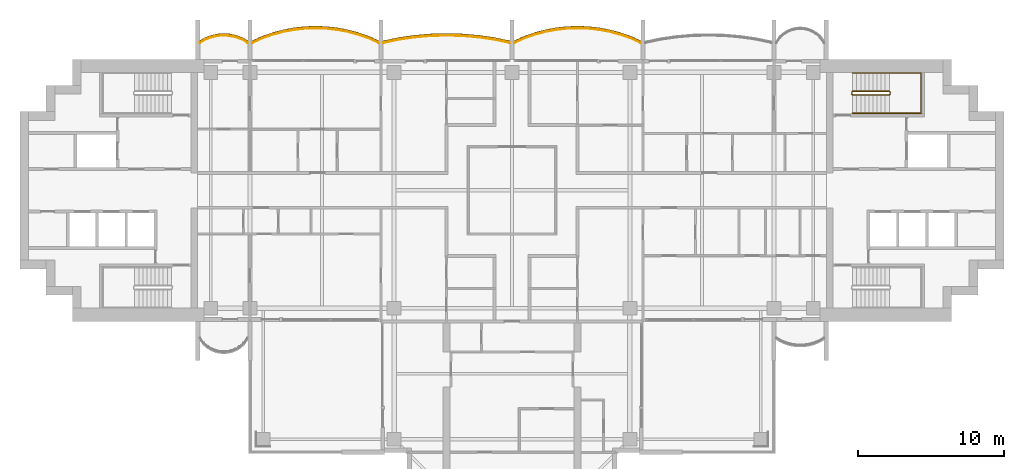
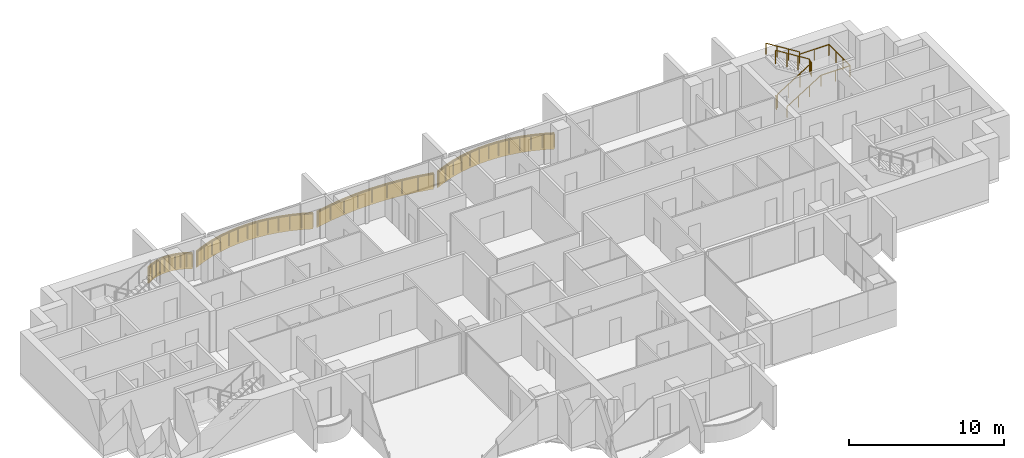
# One storey, part 16 of 17: 6 railings, 4 coverings.
"""IFC4 building model written with IfcOpenShell, lengths in metres."""

from ifc_helpers import new_model, si_unit, direction, frame, origin, origin_2d, place, context, subcontext, project, spatial, polyline, rectangle, outline, extrude, material, layer, layer_set, type_object, element, save


model = new_model("IFC4")

# Units and contexts
model_context = context("Model", 3, precision=1e-05, world=origin(), true_north=direction((0.0, 1.0)))
body_context = subcontext(model_context, "Body", "Model", "MODEL_VIEW")
ifc_project = project(units=[si_unit("LENGTHUNIT", "METRE"), si_unit("AREAUNIT", "SQUARE_METRE"), si_unit("VOLUMEUNIT", "CUBIC_METRE"), si_unit("PLANEANGLEUNIT", "RADIAN"), si_unit("MASSUNIT", "GRAM", prefix="KILO")], contexts=[model_context])

# Site, building, storey
site_placement = place(None, origin())
site = spatial("IfcSite", under=ifc_project, at=site_placement, CompositionType="ELEMENT")
building_placement = place(site_placement, origin())
building = spatial("IfcBuilding", under=site, at=building_placement, Name="Perihelion Cross Residences", CompositionType="ELEMENT")
storey_placement = place(building_placement, frame((0.0, 0.0, 184.10009765625)))
storey = spatial("IfcBuildingStorey", under=building, at=storey_placement, Name="L45", CompositionType="ELEMENT", Elevation=184.10009765625)

# Coverings
ifc_material_1 = material(Name="Bronze anodised aluminium", Category="aluminium")
ifc_layer = layer(ifc_material_1, 0.070068359375)
ifc_layer_set = layer_set([ifc_layer], Name="Balcony fascia 1300")
covering_type = type_object("IfcCoveringType", Name="Balcony fascia 1300", PredefinedType="CLADDING", material=ifc_layer_set)
covering_1_placement = place(storey_placement, frame((0.0, 0.0, -0.2001953125)))
element("IfcCovering", 1, at=covering_1_placement, inside=storey, type_object=covering_type, Name="Fascia BF1 L45 north side east bay 1", PredefinedType="CLADDING", context=body_context, shape_type="SweptSolid", body=[
    extrude(outline(polyline([(8.150634765625, 10.582275390625), (7.42041015625, 10.83544921875), (6.690185546875, 11.028076171875), (5.960205078125, 11.1630859375), (5.22998046875, 11.243408203125), (4.5, 11.27001953125), (3.77001953125, 11.243408203125), (3.039794921875, 11.1630859375), (2.309814453125, 11.028076171875), (1.57958984375, 10.83544921875), (0.849365234375, 10.582275390625), (0.14990234375, 10.2763671875), (0.14990234375, 10.199951171875), (0.875, 10.51708984375), (1.60009765625, 10.7685546875), (2.324951171875, 10.959716796875), (3.050048828125, 11.093994140625), (3.77490234375, 11.173583984375), (4.5, 11.199951171875), (5.22509765625, 11.173583984375), (5.949951171875, 11.093994140625), (6.675048828125, 10.959716796875), (7.39990234375, 10.7685546875), (8.125, 10.51708984375), (8.85009765625, 10.199951171875), (8.85009765625, 10.2763671875), (8.150634765625, 10.582275390625)])), origin(), (0.0, 0.0, 1.0), 1.300048828125),
])
covering_2_placement = place(storey_placement, frame((0.0, 0.0, -0.2001953125)))
element("IfcCovering", 2, at=covering_2_placement, inside=storey, type_object=covering_type, Name="Fascia BF1 L45 north side east bay 2", PredefinedType="CLADDING", context=body_context, shape_type="SweptSolid", body=[
    extrude(outline(polyline([(-1.2255859375, 10.4892578125), (-2.317138671875, 10.645751953125), (-3.408447265625, 10.739013671875), (-4.5, 10.77001953125), (-5.591552734375, 10.739013671875), (-6.682861328125, 10.645751953125), (-7.7744140625, 10.4892578125), (-8.85009765625, 10.271484375), (-8.85009765625, 10.199951171875), (-7.762451171875, 10.42041015625), (-6.675048828125, 10.576171875), (-5.58740234375, 10.669189453125), (-4.5, 10.699951171875), (-3.41259765625, 10.669189453125), (-2.324951171875, 10.576171875), (-1.237548828125, 10.42041015625), (-0.14990234375, 10.199951171875), (-0.14990234375, 10.271484375), (-1.2255859375, 10.4892578125)])), origin(), (0.0, 0.0, 1.0), 1.300048828125),
])
covering_3_placement = place(storey_placement, frame((0.0, 0.0, -0.2001953125)))
element("IfcCovering", 3, at=covering_3_placement, inside=storey, type_object=covering_type, Name="Fascia BF1 L45 west side north bay 1", PredefinedType="CLADDING", context=body_context, shape_type="SweptSolid", body=[
    extrude(outline(polyline([(-9.849365234375, 10.582275390625), (-10.57958984375, 10.83544921875), (-11.309814453125, 11.028076171875), (-12.039794921875, 11.1630859375), (-12.77001953125, 11.243408203125), (-13.5, 11.27001953125), (-14.22998046875, 11.243408203125), (-14.960205078125, 11.1630859375), (-15.690185546875, 11.028076171875), (-16.42041015625, 10.83544921875), (-17.150634765625, 10.582275390625), (-17.85009765625, 10.2763671875), (-17.85009765625, 10.199951171875), (-17.125, 10.51708984375), (-16.39990234375, 10.7685546875), (-15.675048828125, 10.959716796875), (-14.949951171875, 11.093994140625), (-14.22509765625, 11.173583984375), (-13.5, 11.199951171875), (-12.77490234375, 11.173583984375), (-12.050048828125, 11.093994140625), (-11.324951171875, 10.959716796875), (-10.60009765625, 10.7685546875), (-9.875, 10.51708984375), (-9.14990234375, 10.199951171875), (-9.14990234375, 10.2763671875), (-9.849365234375, 10.582275390625)])), origin(), (0.0, 0.0, 1.0), 1.300048828125),
])
covering_4_placement = place(storey_placement, frame((0.0, 0.0, -0.2001953125)))
element("IfcCovering", 4, at=covering_4_placement, inside=storey, type_object=covering_type, Name="Fascia BF1 L45 west side north bay 2", PredefinedType="CLADDING", context=body_context, shape_type="SweptSolid", body=[
    extrude(outline(polyline([(-18.486328125, 10.4716796875), (-18.861572265625, 10.62158203125), (-19.237060546875, 10.717529296875), (-19.6123046875, 10.76416015625), (-19.987548828125, 10.76416015625), (-20.363037109375, 10.717529296875), (-20.73828125, 10.62158203125), (-21.11376953125, 10.4716796875), (-21.449951171875, 10.280517578125), (-21.449951171875, 10.199951171875), (-21.083251953125, 10.40869140625), (-20.716552734375, 10.55517578125), (-20.35009765625, 10.648681640625), (-19.9833984375, 10.6943359375), (-19.61669921875, 10.6943359375), (-19.25, 10.648681640625), (-18.88330078125, 10.55517578125), (-18.5166015625, 10.40869140625), (-18.14990234375, 10.199951171875), (-18.14990234375, 10.280517578125), (-18.486328125, 10.4716796875)])), origin(), (0.0, 0.0, 1.0), 1.300048828125),
])

# Railings
ifc_material_2 = material(Name="Bronze anodised aluminium", Category="aluminium")
railing_type_1 = type_object("IfcRailingType", Name="Balcony guard 1100", PredefinedType="GUARDRAIL", material=ifc_material_2)
railing_1_placement = place(storey_placement, frame((8.824951171875, 10.139892578125, 0.0)))
element("IfcRailing", 5, at=railing_1_placement, inside=storey, type_object=railing_type_1, Name="Guard GU1 L45 north side east bay 1 balcony", PredefinedType="GUARDRAIL", context=body_context, shape_type="SweptSolid", body=[
    extrude(rectangle(XDim=0.048095703125, YDim=0.048095703125, at=origin_2d()), frame((0.0, 0.0, 1.076171875), z_axis=(-0.910866309087, 0.412701547089, 0.0), x_axis=(-0.412701547089, -0.910866309087, 0.0)), (0.0, 0.0, 1.0), 0.7685546875),
    extrude(rectangle(XDim=0.048095703125, YDim=0.048095703125, at=origin_2d()), frame((-0.699951171875, 0.317138671875, 1.076171875), z_axis=(-0.944796812452, 0.327656807012, 0.0), x_axis=(-0.327656807012, -0.944796812452, 0.0)), (0.0, 0.0, 1.0), 0.767578125),
    extrude(rectangle(XDim=0.048095703125, YDim=0.048095703125, at=origin_2d()), frame((-1.425048828125, 0.568603515625, 1.076171875), z_axis=(-0.966939404945, 0.255006249266, 0.0), x_axis=(-0.255006249266, -0.966939404945, 0.0)), (0.0, 0.0, 1.0), 0.749755859375),
    extrude(rectangle(XDim=0.048095703125, YDim=0.048095703125, at=origin_2d()), frame((-2.14990234375, 0.759765625, 1.076171875), z_axis=(-0.983282004984, 0.182089260182, 0.0), x_axis=(-0.182089260182, -0.983282004984, 0.0)), (0.0, 0.0, 1.0), 0.7373046875),
    extrude(rectangle(XDim=0.048095703125, YDim=0.048095703125, at=origin_2d()), frame((-2.875, 0.89404296875, 1.076171875), z_axis=(-0.994025805622, 0.109145305703, 0.0), x_axis=(-0.109145305703, -0.994025805622, 0.0)), (0.0, 0.0, 1.0), 0.729248046875),
    extrude(rectangle(XDim=0.048095703125, YDim=0.048095703125, at=origin_2d()), frame((-3.599853515625, 0.9736328125, 1.076171875), z_axis=(-0.999339497946, 0.036339618107, 0.0), x_axis=(-0.036339618107, -0.999339497946, 0.0)), (0.0, 0.0, 1.0), 0.7255859375),
    extrude(rectangle(XDim=0.048095703125, YDim=0.048095703125, at=origin_2d()), frame((-4.324951171875, 1.0, 1.076171875), z_axis=(-0.999339497946, -0.036339618107, 0.0), x_axis=(0.036339618107, -0.999339497946, 0.0)), (0.0, 0.0, 1.0), 0.7255859375),
    extrude(rectangle(XDim=0.048095703125, YDim=0.048095703125, at=origin_2d()), frame((-5.050048828125, 0.9736328125, 1.076171875), z_axis=(-0.994025805622, -0.109145305703, 0.0), x_axis=(0.109145305703, -0.994025805622, 0.0)), (0.0, 0.0, 1.0), 0.729248046875),
    extrude(rectangle(XDim=0.048095703125, YDim=0.048095703125, at=origin_2d()), frame((-5.77490234375, 0.89404296875, 1.076171875), z_axis=(-0.983282004984, -0.182089260182, 0.0), x_axis=(0.182089260182, -0.983282004984, 0.0)), (0.0, 0.0, 1.0), 0.7373046875),
    extrude(rectangle(XDim=0.048095703125, YDim=0.048095703125, at=origin_2d()), frame((-6.5, 0.759765625, 1.076171875), z_axis=(-0.966939404945, -0.255006249266, 0.0), x_axis=(0.255006249266, -0.966939404945, 0.0)), (0.0, 0.0, 1.0), 0.749755859375),
    extrude(rectangle(XDim=0.048095703125, YDim=0.048095703125, at=origin_2d()), frame((-7.224853515625, 0.568603515625, 1.076171875), z_axis=(-0.944796812452, -0.327656807012, 0.0), x_axis=(0.327656807012, -0.944796812452, 0.0)), (0.0, 0.0, 1.0), 0.767578125),
    extrude(rectangle(XDim=0.048095703125, YDim=0.048095703125, at=origin_2d()), frame((-7.949951171875, 0.317138671875, 1.076171875), z_axis=(-0.910866309087, -0.412701547089, 0.0), x_axis=(0.412701547089, -0.910866309087, 0.0)), (0.0, 0.0, 1.0), 0.7685546875),
    extrude(rectangle(XDim=0.0419921875, YDim=0.0419921875, at=origin_2d()), origin(), (0.0, 0.0, 1.0), 1.052001953125),
    extrude(rectangle(XDim=0.0419921875, YDim=0.0419921875, at=origin_2d()), frame((-0.699951171875, 0.317138671875, 0.0)), (0.0, 0.0, 1.0), 1.052001953125),
    extrude(rectangle(XDim=0.0419921875, YDim=0.0419921875, at=origin_2d()), frame((-1.425048828125, 0.568603515625, 0.0)), (0.0, 0.0, 1.0), 1.052001953125),
    extrude(rectangle(XDim=0.0419921875, YDim=0.0419921875, at=origin_2d()), frame((-2.14990234375, 0.759765625, 0.0)), (0.0, 0.0, 1.0), 1.052001953125),
    extrude(rectangle(XDim=0.0419921875, YDim=0.0419921875, at=origin_2d()), frame((-2.875, 0.89404296875, 0.0)), (0.0, 0.0, 1.0), 1.052001953125),
    extrude(rectangle(XDim=0.0419921875, YDim=0.0419921875, at=origin_2d()), frame((-3.599853515625, 0.9736328125, 0.0)), (0.0, 0.0, 1.0), 1.052001953125),
    extrude(rectangle(XDim=0.0419921875, YDim=0.0419921875, at=origin_2d()), frame((-4.324951171875, 1.0, 0.0)), (0.0, 0.0, 1.0), 1.052001953125),
    extrude(rectangle(XDim=0.0419921875, YDim=0.0419921875, at=origin_2d()), frame((-5.050048828125, 0.9736328125, 0.0)), (0.0, 0.0, 1.0), 1.052001953125),
    extrude(rectangle(XDim=0.0419921875, YDim=0.0419921875, at=origin_2d()), frame((-5.77490234375, 0.89404296875, 0.0)), (0.0, 0.0, 1.0), 1.052001953125),
    extrude(rectangle(XDim=0.0419921875, YDim=0.0419921875, at=origin_2d()), frame((-6.5, 0.759765625, 0.0)), (0.0, 0.0, 1.0), 1.052001953125),
    extrude(rectangle(XDim=0.0419921875, YDim=0.0419921875, at=origin_2d()), frame((-7.224853515625, 0.568603515625, 0.0)), (0.0, 0.0, 1.0), 1.052001953125),
    extrude(rectangle(XDim=0.0419921875, YDim=0.0419921875, at=origin_2d()), frame((-7.949951171875, 0.317138671875, 0.0)), (0.0, 0.0, 1.0), 1.052001953125),
    extrude(rectangle(XDim=0.0419921875, YDim=0.0419921875, at=origin_2d()), frame((-8.64990234375, 0.0, 0.0)), (0.0, 0.0, 1.0), 1.052001953125),
])
railing_2_placement = place(storey_placement, frame((-0.175048828125, 10.139892578125, 0.0)))
element("IfcRailing", 6, at=railing_2_placement, inside=storey, type_object=railing_type_1, Name="Guard GU1 L45 north side east bay 2 balcony", PredefinedType="GUARDRAIL", context=body_context, shape_type="SweptSolid", body=[
    extrude(rectangle(XDim=0.048095703125, YDim=0.048095703125, at=origin_2d()), frame((0.0, 0.0, 1.076171875), z_axis=(-0.979144816647, 0.203163549961, 0.0), x_axis=(-0.203163549961, -0.979144816647, 0.0)), (0.0, 0.0, 1.0), 1.085205078125),
    extrude(rectangle(XDim=0.048095703125, YDim=0.048095703125, at=origin_2d()), frame((-1.0625, 0.220458984375, 1.076171875), z_axis=(-0.98989608354, 0.141794724135, 0.0), x_axis=(-0.141794724135, -0.98989608354, 0.0)), (0.0, 0.0, 1.0), 1.098388671875),
    extrude(rectangle(XDim=0.048095703125, YDim=0.048095703125, at=origin_2d()), frame((-2.14990234375, 0.376220703125, 1.076171875), z_axis=(-0.996362942492, 0.085210837506, 0.0), x_axis=(-0.085210837506, -0.996362942492, 0.0)), (0.0, 0.0, 1.0), 1.091552734375),
    extrude(rectangle(XDim=0.048095703125, YDim=0.048095703125, at=origin_2d()), frame((-3.237548828125, 0.46923828125, 1.076171875), z_axis=(-0.999600101203, 0.028277865458, 0.0), x_axis=(-0.028277865458, -0.999600101203, 0.0)), (0.0, 0.0, 1.0), 1.087890625),
    extrude(rectangle(XDim=0.048095703125, YDim=0.048095703125, at=origin_2d()), frame((-4.324951171875, 0.5, 1.076171875), z_axis=(-0.999600101203, -0.028277865458, 0.0), x_axis=(0.028277865458, -0.999600101203, 0.0)), (0.0, 0.0, 1.0), 1.087890625),
    extrude(rectangle(XDim=0.048095703125, YDim=0.048095703125, at=origin_2d()), frame((-5.412353515625, 0.46923828125, 1.076171875), z_axis=(-0.996362942492, -0.085210837506, 0.0), x_axis=(0.085210837506, -0.996362942492, 0.0)), (0.0, 0.0, 1.0), 1.091552734375),
    extrude(rectangle(XDim=0.048095703125, YDim=0.048095703125, at=origin_2d()), frame((-6.5, 0.376220703125, 1.076171875), z_axis=(-0.98989608354, -0.141794724135, 0.0), x_axis=(0.141794724135, -0.98989608354, 0.0)), (0.0, 0.0, 1.0), 1.098388671875),
    extrude(rectangle(XDim=0.048095703125, YDim=0.048095703125, at=origin_2d()), frame((-7.58740234375, 0.220458984375, 1.076171875), z_axis=(-0.979144816647, -0.203163549961, 0.0), x_axis=(0.203163549961, -0.979144816647, 0.0)), (0.0, 0.0, 1.0), 1.085205078125),
    extrude(rectangle(XDim=0.0419921875, YDim=0.0419921875, at=origin_2d()), origin(), (0.0, 0.0, 1.0), 1.052001953125),
    extrude(rectangle(XDim=0.0419921875, YDim=0.0419921875, at=origin_2d()), frame((-1.0625, 0.220458984375, 0.0)), (0.0, 0.0, 1.0), 1.052001953125),
    extrude(rectangle(XDim=0.0419921875, YDim=0.0419921875, at=origin_2d()), frame((-2.14990234375, 0.376220703125, 0.0)), (0.0, 0.0, 1.0), 1.052001953125),
    extrude(rectangle(XDim=0.0419921875, YDim=0.0419921875, at=origin_2d()), frame((-3.237548828125, 0.46923828125, 0.0)), (0.0, 0.0, 1.0), 1.052001953125),
    extrude(rectangle(XDim=0.0419921875, YDim=0.0419921875, at=origin_2d()), frame((-4.324951171875, 0.5, 0.0)), (0.0, 0.0, 1.0), 1.052001953125),
    extrude(rectangle(XDim=0.0419921875, YDim=0.0419921875, at=origin_2d()), frame((-5.412353515625, 0.46923828125, 0.0)), (0.0, 0.0, 1.0), 1.052001953125),
    extrude(rectangle(XDim=0.0419921875, YDim=0.0419921875, at=origin_2d()), frame((-6.5, 0.376220703125, 0.0)), (0.0, 0.0, 1.0), 1.052001953125),
    extrude(rectangle(XDim=0.0419921875, YDim=0.0419921875, at=origin_2d()), frame((-7.58740234375, 0.220458984375, 0.0)), (0.0, 0.0, 1.0), 1.052001953125),
    extrude(rectangle(XDim=0.0419921875, YDim=0.0419921875, at=origin_2d()), frame((-8.64990234375, 0.0, 0.0)), (0.0, 0.0, 1.0), 1.052001953125),
])
railing_3_placement = place(storey_placement, frame((-9.175048828125, 10.139892578125, 0.0)))
element("IfcRailing", 7, at=railing_3_placement, inside=storey, type_object=railing_type_1, Name="Guard GU1 L45 west side north bay 1 balcony", PredefinedType="GUARDRAIL", context=body_context, shape_type="SweptSolid", body=[
    extrude(rectangle(XDim=0.048095703125, YDim=0.048095703125, at=origin_2d()), frame((0.0, 0.0, 1.076171875), z_axis=(-0.910866309087, 0.412701547089, 0.0), x_axis=(-0.412701547089, -0.910866309087, 0.0)), (0.0, 0.0, 1.0), 0.7685546875),
    extrude(rectangle(XDim=0.048095703125, YDim=0.048095703125, at=origin_2d()), frame((-0.699951171875, 0.317138671875, 1.076171875), z_axis=(-0.944796812452, 0.327656807012, 0.0), x_axis=(-0.327656807012, -0.944796812452, 0.0)), (0.0, 0.0, 1.0), 0.767578125),
    extrude(rectangle(XDim=0.048095703125, YDim=0.048095703125, at=origin_2d()), frame((-1.425048828125, 0.568603515625, 1.076171875), z_axis=(-0.966939404945, 0.255006249266, 0.0), x_axis=(-0.255006249266, -0.966939404945, 0.0)), (0.0, 0.0, 1.0), 0.749755859375),
    extrude(rectangle(XDim=0.048095703125, YDim=0.048095703125, at=origin_2d()), frame((-2.14990234375, 0.759765625, 1.076171875), z_axis=(-0.983282004984, 0.182089260182, 0.0), x_axis=(-0.182089260182, -0.983282004984, 0.0)), (0.0, 0.0, 1.0), 0.7373046875),
    extrude(rectangle(XDim=0.048095703125, YDim=0.048095703125, at=origin_2d()), frame((-2.875, 0.89404296875, 1.076171875), z_axis=(-0.994025805622, 0.109145305703, 0.0), x_axis=(-0.109145305703, -0.994025805622, 0.0)), (0.0, 0.0, 1.0), 0.729248046875),
    extrude(rectangle(XDim=0.048095703125, YDim=0.048095703125, at=origin_2d()), frame((-3.599853515625, 0.9736328125, 1.076171875), z_axis=(-0.999339497946, 0.036339618107, 0.0), x_axis=(-0.036339618107, -0.999339497946, 0.0)), (0.0, 0.0, 1.0), 0.7255859375),
    extrude(rectangle(XDim=0.048095703125, YDim=0.048095703125, at=origin_2d()), frame((-4.324951171875, 1.0, 1.076171875), z_axis=(-0.999339497946, -0.036339618107, 0.0), x_axis=(0.036339618107, -0.999339497946, 0.0)), (0.0, 0.0, 1.0), 0.7255859375),
    extrude(rectangle(XDim=0.048095703125, YDim=0.048095703125, at=origin_2d()), frame((-5.050048828125, 0.9736328125, 1.076171875), z_axis=(-0.994025805622, -0.109145305703, 0.0), x_axis=(0.109145305703, -0.994025805622, 0.0)), (0.0, 0.0, 1.0), 0.729248046875),
    extrude(rectangle(XDim=0.048095703125, YDim=0.048095703125, at=origin_2d()), frame((-5.77490234375, 0.89404296875, 1.076171875), z_axis=(-0.983282004984, -0.182089260182, 0.0), x_axis=(0.182089260182, -0.983282004984, 0.0)), (0.0, 0.0, 1.0), 0.7373046875),
    extrude(rectangle(XDim=0.048095703125, YDim=0.048095703125, at=origin_2d()), frame((-6.5, 0.759765625, 1.076171875), z_axis=(-0.966939404945, -0.255006249266, 0.0), x_axis=(0.255006249266, -0.966939404945, 0.0)), (0.0, 0.0, 1.0), 0.749755859375),
    extrude(rectangle(XDim=0.048095703125, YDim=0.048095703125, at=origin_2d()), frame((-7.224853515625, 0.568603515625, 1.076171875), z_axis=(-0.944796812452, -0.327656807012, 0.0), x_axis=(0.327656807012, -0.944796812452, 0.0)), (0.0, 0.0, 1.0), 0.767578125),
    extrude(rectangle(XDim=0.048095703125, YDim=0.048095703125, at=origin_2d()), frame((-7.949951171875, 0.317138671875, 1.076171875), z_axis=(-0.910866309087, -0.412701547089, 0.0), x_axis=(0.412701547089, -0.910866309087, 0.0)), (0.0, 0.0, 1.0), 0.7685546875),
    extrude(rectangle(XDim=0.0419921875, YDim=0.0419921875, at=origin_2d()), origin(), (0.0, 0.0, 1.0), 1.052001953125),
    extrude(rectangle(XDim=0.0419921875, YDim=0.0419921875, at=origin_2d()), frame((-0.699951171875, 0.317138671875, 0.0)), (0.0, 0.0, 1.0), 1.052001953125),
    extrude(rectangle(XDim=0.0419921875, YDim=0.0419921875, at=origin_2d()), frame((-1.425048828125, 0.568603515625, 0.0)), (0.0, 0.0, 1.0), 1.052001953125),
    extrude(rectangle(XDim=0.0419921875, YDim=0.0419921875, at=origin_2d()), frame((-2.14990234375, 0.759765625, 0.0)), (0.0, 0.0, 1.0), 1.052001953125),
    extrude(rectangle(XDim=0.0419921875, YDim=0.0419921875, at=origin_2d()), frame((-2.875, 0.89404296875, 0.0)), (0.0, 0.0, 1.0), 1.052001953125),
    extrude(rectangle(XDim=0.0419921875, YDim=0.0419921875, at=origin_2d()), frame((-3.599853515625, 0.9736328125, 0.0)), (0.0, 0.0, 1.0), 1.052001953125),
    extrude(rectangle(XDim=0.0419921875, YDim=0.0419921875, at=origin_2d()), frame((-4.324951171875, 1.0, 0.0)), (0.0, 0.0, 1.0), 1.052001953125),
    extrude(rectangle(XDim=0.0419921875, YDim=0.0419921875, at=origin_2d()), frame((-5.050048828125, 0.9736328125, 0.0)), (0.0, 0.0, 1.0), 1.052001953125),
    extrude(rectangle(XDim=0.0419921875, YDim=0.0419921875, at=origin_2d()), frame((-5.77490234375, 0.89404296875, 0.0)), (0.0, 0.0, 1.0), 1.052001953125),
    extrude(rectangle(XDim=0.0419921875, YDim=0.0419921875, at=origin_2d()), frame((-6.5, 0.759765625, 0.0)), (0.0, 0.0, 1.0), 1.052001953125),
    extrude(rectangle(XDim=0.0419921875, YDim=0.0419921875, at=origin_2d()), frame((-7.224853515625, 0.568603515625, 0.0)), (0.0, 0.0, 1.0), 1.052001953125),
    extrude(rectangle(XDim=0.0419921875, YDim=0.0419921875, at=origin_2d()), frame((-7.949951171875, 0.317138671875, 0.0)), (0.0, 0.0, 1.0), 1.052001953125),
    extrude(rectangle(XDim=0.0419921875, YDim=0.0419921875, at=origin_2d()), frame((-8.64990234375, 0.0, 0.0)), (0.0, 0.0, 1.0), 1.052001953125),
])
railing_4_placement = place(storey_placement, frame((-18.175048828125, 10.139892578125, 0.0)))
element("IfcRailing", 8, at=railing_4_placement, inside=storey, type_object=railing_type_1, Name="Guard GU1 L45 west side north bay 2 balcony", PredefinedType="GUARDRAIL", context=body_context, shape_type="SweptSolid", body=[
    extrude(rectangle(XDim=0.048095703125, YDim=0.048095703125, at=origin_2d()), frame((0.0, 0.0, 1.076171875), z_axis=(-0.853266756821, 0.52147467983, 0.0), x_axis=(-0.52147467983, -0.853266756821, 0.0)), (0.0, 0.0, 1.0), 0.400390625),
    extrude(rectangle(XDim=0.048095703125, YDim=0.048095703125, at=origin_2d()), frame((-0.341552734375, 0.208740234375, 1.076171875), z_axis=(-0.928647151248, 0.37096424151, 0.0), x_axis=(-0.37096424151, -0.928647151248, 0.0)), (0.0, 0.0, 1.0), 0.394775390625),
    extrude(rectangle(XDim=0.048095703125, YDim=0.048095703125, at=origin_2d()), frame((-0.708251953125, 0.355224609375, 1.076171875), z_axis=(-0.968993337782, 0.247086849781, 0.0), x_axis=(-0.247086849781, -0.968993337782, 0.0)), (0.0, 0.0, 1.0), 0.37841796875),
    extrude(rectangle(XDim=0.048095703125, YDim=0.048095703125, at=origin_2d()), frame((-1.074951171875, 0.44873046875, 1.076171875), z_axis=(-0.992338742457, 0.123546834114, 0.0), x_axis=(-0.123546834114, -0.992338742457, 0.0)), (0.0, 0.0, 1.0), 0.36962890625),
    extrude(rectangle(XDim=0.048095703125, YDim=0.048095703125, at=origin_2d()), frame((-1.441650390625, 0.494384765625, 1.076171875), z_axis=(-1.0, 0.0, 0.0), x_axis=(0.0, -1.0, 0.0)), (0.0, 0.0, 1.0), 0.36669921875),
    extrude(rectangle(XDim=0.048095703125, YDim=0.048095703125, at=origin_2d()), frame((-1.808349609375, 0.494384765625, 1.076171875), z_axis=(-0.992338742457, -0.123546834114, 0.0), x_axis=(0.123546834114, -0.992338742457, 0.0)), (0.0, 0.0, 1.0), 0.36962890625),
    extrude(rectangle(XDim=0.048095703125, YDim=0.048095703125, at=origin_2d()), frame((-2.175048828125, 0.44873046875, 1.076171875), z_axis=(-0.968953914071, -0.247241405123, 0.0), x_axis=(0.247241405123, -0.968953914071, 0.0)), (0.0, 0.0, 1.0), 0.378173828125),
    extrude(rectangle(XDim=0.048095703125, YDim=0.048095703125, at=origin_2d()), frame((-2.54150390625, 0.355224609375, 1.076171875), z_axis=(-0.928647151248, -0.37096424151, 0.0), x_axis=(0.37096424151, -0.928647151248, 0.0)), (0.0, 0.0, 1.0), 0.394775390625),
    extrude(rectangle(XDim=0.048095703125, YDim=0.048095703125, at=origin_2d()), frame((-2.908203125, 0.208740234375, 1.076171875), z_axis=(-0.853432484338, -0.521203410078, 0.0), x_axis=(0.521203410078, -0.853432484338, 0.0)), (0.0, 0.0, 1.0), 0.400390625),
    extrude(rectangle(XDim=0.0419921875, YDim=0.0419921875, at=origin_2d()), origin(), (0.0, 0.0, 1.0), 1.052001953125),
    extrude(rectangle(XDim=0.0419921875, YDim=0.0419921875, at=origin_2d()), frame((-0.341552734375, 0.208740234375, 0.0)), (0.0, 0.0, 1.0), 1.052001953125),
    extrude(rectangle(XDim=0.0419921875, YDim=0.0419921875, at=origin_2d()), frame((-0.708251953125, 0.355224609375, 0.0)), (0.0, 0.0, 1.0), 1.052001953125),
    extrude(rectangle(XDim=0.0419921875, YDim=0.0419921875, at=origin_2d()), frame((-1.074951171875, 0.44873046875, 0.0)), (0.0, 0.0, 1.0), 1.052001953125),
    extrude(rectangle(XDim=0.0419921875, YDim=0.0419921875, at=origin_2d()), frame((-1.441650390625, 0.494384765625, 0.0)), (0.0, 0.0, 1.0), 1.052001953125),
    extrude(rectangle(XDim=0.0419921875, YDim=0.0419921875, at=origin_2d()), frame((-1.808349609375, 0.494384765625, 0.0)), (0.0, 0.0, 1.0), 1.052001953125),
    extrude(rectangle(XDim=0.0419921875, YDim=0.0419921875, at=origin_2d()), frame((-2.175048828125, 0.44873046875, 0.0)), (0.0, 0.0, 1.0), 1.052001953125),
    extrude(rectangle(XDim=0.0419921875, YDim=0.0419921875, at=origin_2d()), frame((-2.54150390625, 0.355224609375, 0.0)), (0.0, 0.0, 1.0), 1.052001953125),
    extrude(rectangle(XDim=0.0419921875, YDim=0.0419921875, at=origin_2d()), frame((-2.908203125, 0.208740234375, 0.0)), (0.0, 0.0, 1.0), 1.052001953125),
    extrude(rectangle(XDim=0.0419921875, YDim=0.0419921875, at=origin_2d()), frame((-3.25, 0.0, 0.0)), (0.0, 0.0, 1.0), 1.052001953125),
])
ifc_material_3 = material(Name="Stainless steel", Category="steel")
railing_type_2 = type_object("IfcRailingType", Name="Stair guard 1100", PredefinedType="GUARDRAIL", material=ifc_material_3)
railing_5_placement = place(storey_placement, frame((23.35009765625, 6.75, 0.0)))
element("IfcRailing", 9, at=railing_5_placement, inside=storey, type_object=railing_type_2, Name="L45 ST-E1 stair guard 1", PredefinedType="GUARDRAIL", context=body_context, shape_type="SweptSolid", body=[
    extrude(rectangle(XDim=0.048095703125, YDim=0.048095703125, at=origin_2d()), frame((0.0, 0.0, 1.076171875), z_axis=(0.0, -1.0, 0.0), x_axis=(1.0, 0.0, 0.0)), (0.0, 0.0, 1.0), 0.14990234375),
    extrude(rectangle(XDim=0.048095703125, YDim=0.048095703125, at=origin_2d()), frame((0.0, -0.14990234375, 1.076171875), z_axis=(0.264179342666, -0.265474339444, 0.927217692888), x_axis=(0.708833529934, 0.705375805398, 0.0)), (0.0, 0.0, 1.0), 0.1884765625),
    extrude(rectangle(XDim=0.048095703125, YDim=0.048095703125, at=origin_2d()), frame((0.0498046875, -0.199951171875, 1.2509765625), z_axis=(0.847970611238, 0.0, 0.530043245855), x_axis=(0.0, 1.0, 0.0)), (0.0, 0.0, 1.0), 2.971923828125),
    extrude(rectangle(XDim=0.048095703125, YDim=0.048095703125, at=origin_2d()), frame((2.56982421875, -0.199951171875, 2.826171875), z_axis=(0.707106781187, 0.707106781187, 0.0), x_axis=(-0.707106781187, 0.707106781187, 0.0)), (0.0, 0.0, 1.0), 0.07080078125),
    extrude(rectangle(XDim=0.048095703125, YDim=0.048095703125, at=origin_2d()), frame((2.619873046875, -0.14990234375, 2.826171875), z_axis=(0.0, 1.0, 0.0), x_axis=(-1.0, 0.0, 0.0)), (0.0, 0.0, 1.0), 0.14990234375),
    extrude(rectangle(XDim=0.048095703125, YDim=0.048095703125, at=origin_2d()), frame((2.619873046875, 0.0, 2.826171875), z_axis=(-0.265383341853, 0.265383341853, 0.926899867156), x_axis=(-0.707106781187, -0.707106781187, 0.0)), (0.0, 0.0, 1.0), 0.1884765625),
    extrude(rectangle(XDim=0.048095703125, YDim=0.048095703125, at=origin_2d()), frame((2.56982421875, 0.050048828125, 3.0009765625), z_axis=(-0.847970611238, 0.0, 0.530043245855), x_axis=(0.0, -1.0, 0.0)), (0.0, 0.0, 1.0), 2.971923828125),
    extrude(rectangle(XDim=0.0419921875, YDim=0.0419921875, at=origin_2d()), origin(), (0.0, 0.0, 1.0), 1.052001953125),
    extrude(rectangle(XDim=0.0419921875, YDim=0.0419921875, at=origin_2d()), frame((0.0, -0.14990234375, 0.0)), (0.0, 0.0, 1.0), 1.052001953125),
    extrude(rectangle(XDim=0.0419921875, YDim=0.0419921875, at=origin_2d()), frame((0.0498046875, -0.199951171875, 0.1748046875)), (0.0, 0.0, 1.0), 1.052001953125),
    extrude(rectangle(XDim=0.0419921875, YDim=0.0419921875, at=origin_2d()), frame((0.889892578125, -0.199951171875, 0.699951171875)), (0.0, 0.0, 1.0), 1.052001953125),
    extrude(rectangle(XDim=0.0419921875, YDim=0.0419921875, at=origin_2d()), frame((1.729736328125, -0.199951171875, 1.224853515625)), (0.0, 0.0, 1.0), 1.052001953125),
    extrude(rectangle(XDim=0.0419921875, YDim=0.0419921875, at=origin_2d()), frame((2.56982421875, -0.199951171875, 1.75)), (0.0, 0.0, 1.0), 1.052001953125),
    extrude(rectangle(XDim=0.0419921875, YDim=0.0419921875, at=origin_2d()), frame((2.619873046875, -0.14990234375, 1.75)), (0.0, 0.0, 1.0), 1.052001953125),
    extrude(rectangle(XDim=0.0419921875, YDim=0.0419921875, at=origin_2d()), frame((2.619873046875, 0.0, 1.75)), (0.0, 0.0, 1.0), 1.052001953125),
    extrude(rectangle(XDim=0.0419921875, YDim=0.0419921875, at=origin_2d()), frame((2.56982421875, 0.050048828125, 1.9248046875)), (0.0, 0.0, 1.0), 1.052001953125),
    extrude(rectangle(XDim=0.0419921875, YDim=0.0419921875, at=origin_2d()), frame((1.729736328125, 0.050048828125, 2.449951171875)), (0.0, 0.0, 1.0), 1.052001953125),
    extrude(rectangle(XDim=0.0419921875, YDim=0.0419921875, at=origin_2d()), frame((0.889892578125, 0.050048828125, 2.974853515625)), (0.0, 0.0, 1.0), 1.052001953125),
    extrude(rectangle(XDim=0.0419921875, YDim=0.0419921875, at=origin_2d()), frame((0.0498046875, 0.050048828125, 3.5)), (0.0, 0.0, 1.0), 1.052001953125),
])
ifc_material_4 = material(Name="Stainless steel", Category="steel")
railing_type_3 = type_object("IfcRailingType", Name="Stair handrail 900", PredefinedType="HANDRAIL", material=ifc_material_4)
railing_6_placement = place(storey_placement, frame((23.39990234375, 5.300048828125, 0.1748046875)))
element("IfcRailing", 10, at=railing_6_placement, inside=storey, type_object=railing_type_3, Name="L45 ST-E1 stair handrail 1", PredefinedType="HANDRAIL", context=body_context, shape_type="SweptSolid", body=[
    extrude(rectangle(XDim=0.048095703125, YDim=0.048095703125, at=origin_2d()), frame((0.0, 0.0, 0.8759765625), z_axis=(0.847970611238, 0.0, 0.530043245855), x_axis=(0.0, 1.0, 0.0)), (0.0, 0.0, 1.0), 2.971923828125),
    extrude(rectangle(XDim=0.048095703125, YDim=0.048095703125, at=origin_2d()), frame((2.52001953125, 0.0, 2.451171875), z_axis=(1.0, 0.0, 0.0), x_axis=(0.0, 1.0, 0.0)), (0.0, 0.0, 1.0), 2.18017578125),
    extrude(rectangle(XDim=0.048095703125, YDim=0.048095703125, at=origin_2d()), frame((4.7001953125, 0.0, 2.451171875), z_axis=(0.0, 1.0, 0.0), x_axis=(-1.0, 0.0, 0.0)), (0.0, 0.0, 1.0), 2.75),
    extrude(rectangle(XDim=0.048095703125, YDim=0.048095703125, at=origin_2d()), frame((4.7001953125, 2.75, 2.451171875), z_axis=(-1.0, 0.0, 0.0), x_axis=(0.0, -1.0, 0.0)), (0.0, 0.0, 1.0), 2.18017578125),
    extrude(rectangle(XDim=0.048095703125, YDim=0.048095703125, at=origin_2d()), frame((2.52001953125, 2.75, 2.451171875), z_axis=(0.0, 0.0, 1.0), x_axis=(1.0, 0.0, 0.0)), (0.0, 0.0, 1.0), 0.1748046875),
    extrude(rectangle(XDim=0.048095703125, YDim=0.048095703125, at=origin_2d()), frame((2.52001953125, 2.75, 2.6259765625), z_axis=(-0.847970611238, 0.0, 0.530043245855), x_axis=(0.0, -1.0, 0.0)), (0.0, 0.0, 1.0), 2.971923828125),
    extrude(rectangle(XDim=0.0419921875, YDim=0.0419921875, at=origin_2d()), origin(), (0.0, 0.0, 1.0), 0.851806640625),
    extrude(rectangle(XDim=0.0419921875, YDim=0.0419921875, at=origin_2d()), frame((0.840087890625, 0.0, 0.525146484375)), (0.0, 0.0, 1.0), 0.851806640625),
    extrude(rectangle(XDim=0.0419921875, YDim=0.0419921875, at=origin_2d()), frame((1.679931640625, 0.0, 1.050048828125)), (0.0, 0.0, 1.0), 0.851806640625),
    extrude(rectangle(XDim=0.0419921875, YDim=0.0419921875, at=origin_2d()), frame((2.52001953125, 0.0, 1.5751953125)), (0.0, 0.0, 1.0), 0.851806640625),
    extrude(rectangle(XDim=0.0419921875, YDim=0.0419921875, at=origin_2d()), frame((3.610107421875, 0.0, 1.5751953125)), (0.0, 0.0, 1.0), 0.851806640625),
    extrude(rectangle(XDim=0.0419921875, YDim=0.0419921875, at=origin_2d()), frame((4.7001953125, 0.0, 1.5751953125)), (0.0, 0.0, 1.0), 0.851806640625),
    extrude(rectangle(XDim=0.0419921875, YDim=0.0419921875, at=origin_2d()), frame((4.7001953125, 0.916748046875, 1.5751953125)), (0.0, 0.0, 1.0), 0.851806640625),
    extrude(rectangle(XDim=0.0419921875, YDim=0.0419921875, at=origin_2d()), frame((4.7001953125, 1.833251953125, 1.5751953125)), (0.0, 0.0, 1.0), 0.851806640625),
    extrude(rectangle(XDim=0.0419921875, YDim=0.0419921875, at=origin_2d()), frame((4.7001953125, 2.75, 1.5751953125)), (0.0, 0.0, 1.0), 0.851806640625),
    extrude(rectangle(XDim=0.0419921875, YDim=0.0419921875, at=origin_2d()), frame((3.610107421875, 2.75, 1.5751953125)), (0.0, 0.0, 1.0), 0.851806640625),
    extrude(rectangle(XDim=0.0419921875, YDim=0.0419921875, at=origin_2d()), frame((2.52001953125, 2.75, 1.5751953125)), (0.0, 0.0, 1.0), 0.851806640625),
    extrude(rectangle(XDim=0.0419921875, YDim=0.0419921875, at=origin_2d()), frame((2.52001953125, 2.75, 1.75)), (0.0, 0.0, 1.0), 0.851806640625),
    extrude(rectangle(XDim=0.0419921875, YDim=0.0419921875, at=origin_2d()), frame((1.679931640625, 2.75, 2.275146484375)), (0.0, 0.0, 1.0), 0.851806640625),
    extrude(rectangle(XDim=0.0419921875, YDim=0.0419921875, at=origin_2d()), frame((0.840087890625, 2.75, 2.800048828125)), (0.0, 0.0, 1.0), 0.851806640625),
    extrude(rectangle(XDim=0.0419921875, YDim=0.0419921875, at=origin_2d()), frame((0.0, 2.75, 3.3251953125)), (0.0, 0.0, 1.0), 0.851806640625),
])

save(model, "model.ifc")
